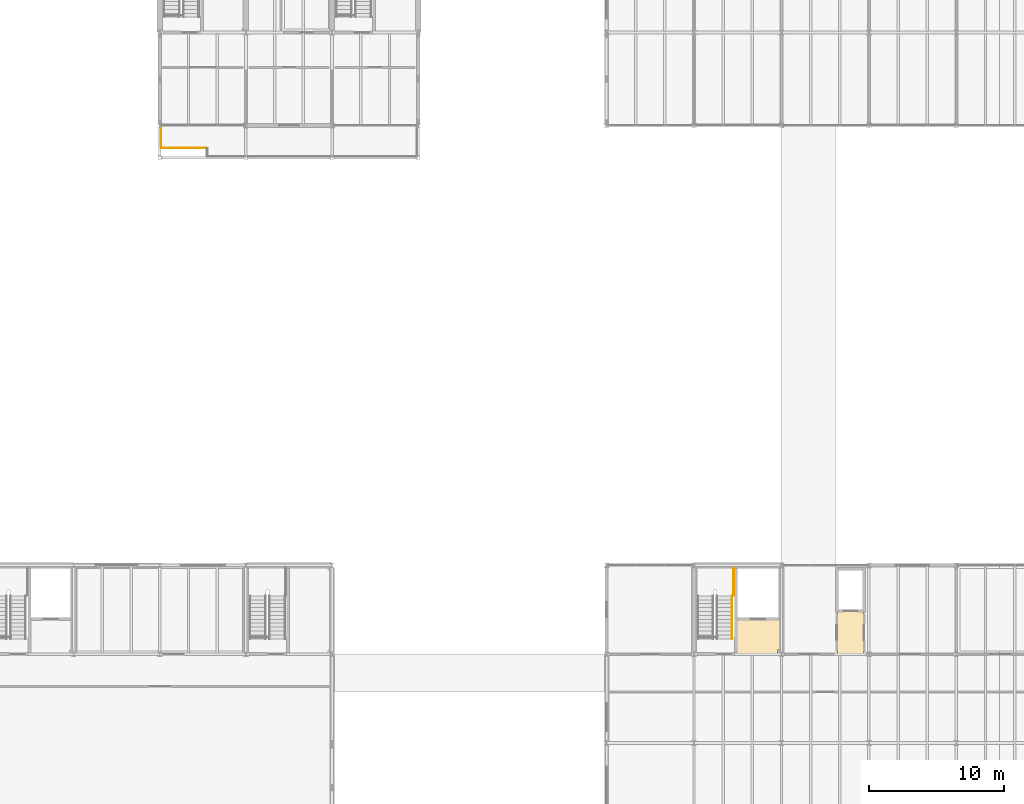
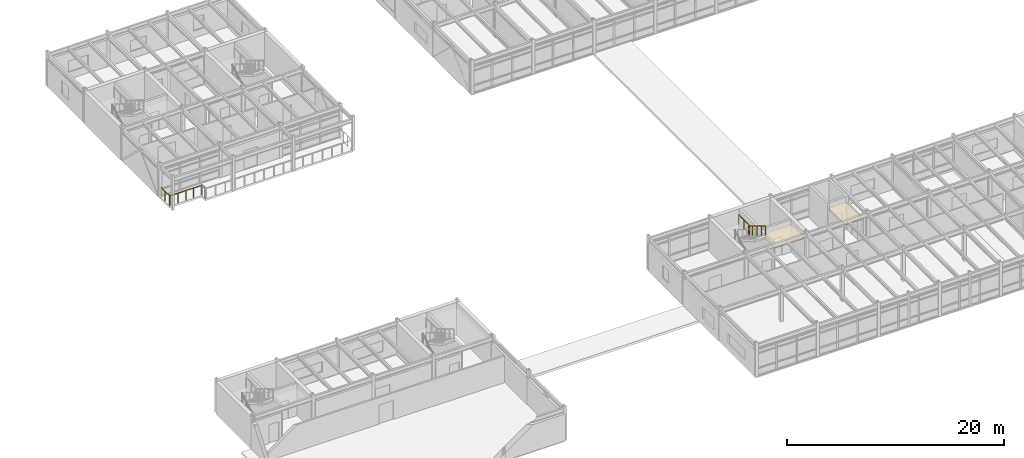
# One storey, part 46 of 49: 4 railings, 2 coverings.
"""IFC4 building model written with IfcOpenShell, lengths in metres."""

import ifcopenshell
import ifcopenshell.guid

model = None  # the IFC model being written
_history = None  # IfcOwnerHistory: only IFC2X3 demands one
_inside = {}  # id of a spatial element -> (the spatial element, [elements in it])
_under = {}  # id of a project, library or spatial element -> (it, [spatial elements below it])
_declared = {}  # id of a project -> (the project, [libraries it declares])
_typed = {}  # id of a type object -> (the type object, [elements of that type])
_made_of = {}  # id of a material, layer set ... -> (it, [elements and type objects made of it])


def new_model(schema):
    """Start an empty IFC model of exactly this schema.

    Asked for "IFC4X3", IfcOpenShell would pick the latest addendum, in which some entities
    have other attributes; the version numbers below select the first issue.
    IFC2X3 requires an IfcOwnerHistory on every rooted entity: one is made here for all.
    """
    global model, _history
    if schema == "IFC4X3":
        model = ifcopenshell.file(schema_version=(4, 3, 0, 0))
    else:
        model = ifcopenshell.file(schema=schema)
    _inside.clear()
    _under.clear()
    _declared.clear()
    _typed.clear()
    _made_of.clear()
    _history = None
    if model.schema == "IFC2X3":
        org = make("IfcOrganization", Name="unknown")
        user = make(
            "IfcPersonAndOrganization",
            ThePerson=make("IfcPerson", FamilyName="unknown"),
            TheOrganization=org,
        )
        app = make(
            "IfcApplication",
            ApplicationDeveloper=org,
            Version="unknown",
            ApplicationFullName="unknown",
            ApplicationIdentifier="unknown",
        )
        _history = make(
            "IfcOwnerHistory",
            OwningUser=user,
            OwningApplication=app,
            ChangeAction="ADDED",
            CreationDate=0,
        )
    return model


def make(cls, **values):
    """One entity of the class cls with the attributes given. An attribute that is None is left unset."""
    return model.create_entity(
        cls, **{name: value for name, value in values.items() if value is not None}
    )


def rooted(cls, **values):
    """An entity with a GlobalId (a new one), such as an element, a storey or a relation."""
    return make(cls, GlobalId=ifcopenshell.guid.new(), OwnerHistory=_history, **values)


def si_unit(unit_type, name, prefix=None):
    """IfcSIUnit, for example si_unit("LENGTHUNIT", "METRE", prefix="MILLI")."""
    return make("IfcSIUnit", UnitType=unit_type, Prefix=prefix, Name=name)


def assignment(units):
    """IfcUnitAssignment: the units of a project."""
    return None if units is None else make("IfcUnitAssignment", Units=units)


def point(xyz):
    """IfcCartesianPoint."""
    return None if xyz is None else make("IfcCartesianPoint", Coordinates=xyz)


def direction(xyz):
    """IfcDirection."""
    return None if xyz is None else make("IfcDirection", DirectionRatios=xyz)


def frame(location, z_axis=None, x_axis=None):
    """IfcAxis2Placement3D, a coordinate frame: its origin and axes. An axis left out is left unset."""
    return make(
        "IfcAxis2Placement3D",
        Location=point(location),
        Axis=direction(z_axis),
        RefDirection=direction(x_axis),
    )


def frame_2d(location, x_axis=None):
    """IfcAxis2Placement2D, a coordinate frame in the plane: its origin and x axis."""
    return make(
        "IfcAxis2Placement2D", Location=point(location), RefDirection=direction(x_axis)
    )


def origin():
    """The frame at (0, 0, 0) with its axes left unset."""
    return frame((0.0, 0.0, 0.0))


def origin_2d():
    """The frame at (0, 0) in the plane with its x axis left unset."""
    return frame_2d((0.0, 0.0))


def place(relative_to, where):
    """IfcLocalPlacement: puts the frame where relative to a parent placement (None: the world)."""
    return make(
        "IfcLocalPlacement", PlacementRelTo=relative_to, RelativePlacement=where
    )


def context(
    kind, dimensions, precision=None, world=None, true_north=None, identifier=None
):
    """IfcGeometricRepresentationContext, for example the 3D "Model" context."""
    return make(
        "IfcGeometricRepresentationContext",
        ContextIdentifier=identifier,
        ContextType=kind,
        CoordinateSpaceDimension=dimensions,
        Precision=precision,
        WorldCoordinateSystem=world,
        TrueNorth=true_north,
    )


def subcontext(parent, identifier, kind, view, scale=None):
    """IfcGeometricRepresentationSubContext, for example "Body" below "Model"."""
    return make(
        "IfcGeometricRepresentationSubContext",
        ContextIdentifier=identifier,
        ContextType=kind,
        ParentContext=parent,
        TargetScale=scale,
        TargetView=view,
    )


def project(units=None, contexts=None):
    """IfcProject with its units and contexts."""
    return rooted(
        "IfcProject",
        Name="project",
        RepresentationContexts=contexts,
        UnitsInContext=assignment(units),
    )


def spatial(cls, under=None, at=None, **own):
    """A site, building, storey or space (cls), placed at a placement, below another one or the project."""
    s = rooted(cls, ObjectPlacement=at, **own)
    if under is not None:
        _under.setdefault(under.id(), (under, []))[1].append(s)
    return s


def polyline(points):
    """IfcPolyline through the points."""
    return make("IfcPolyline", Points=[point(p) for p in points])


def profile(cls, at=None, kind="AREA", **sizes):
    """A parametric profile (cls). Its sizes go by their IFC names, for example OverallWidth=200.0."""
    return make(cls, ProfileType=kind, Position=at, **sizes)


def circle(**sizes):
    """IfcCircleProfileDef."""
    return profile("IfcCircleProfileDef", **sizes)


def outline(outer, holes=None, kind="AREA"):
    """IfcArbitraryClosedProfileDef: a profile drawn as a closed curve; with holes, ...WithVoids."""
    if holes is None:
        return make("IfcArbitraryClosedProfileDef", ProfileType=kind, OuterCurve=outer)
    return make(
        "IfcArbitraryProfileDefWithVoids",
        ProfileType=kind,
        OuterCurve=outer,
        InnerCurves=holes,
    )


def extrude(swept, where, along, depth):
    """IfcExtrudedAreaSolid: the profile swept, set in the frame where, extruded along a direction by depth."""
    return make(
        "IfcExtrudedAreaSolid",
        SweptArea=swept,
        Position=where,
        ExtrudedDirection=direction(along),
        Depth=depth,
    )


def shape(context_of_items, identifier, shape_type, items):
    """IfcShapeRepresentation: the items that make up one representation, for example the "Body"."""
    return make(
        "IfcShapeRepresentation",
        ContextOfItems=context_of_items,
        RepresentationIdentifier=identifier,
        RepresentationType=shape_type,
        Items=items,
    )


def material(Name=None, Category=None):
    """IfcMaterial."""
    return make("IfcMaterial", Name=Name, Category=Category)


def layer(
    of_material, thickness, ventilated=None, Name=None, Category=None, Priority=None
):
    """IfcMaterialLayer: one layer of a wall or slab, of a material (None: an air gap)."""
    return make(
        "IfcMaterialLayer",
        Material=of_material,
        LayerThickness=thickness,
        IsVentilated=ventilated,
        Name=Name,
        Category=Category,
        Priority=Priority,
    )


def layer_set(layers, Name=None):
    """IfcMaterialLayerSet."""
    return make("IfcMaterialLayerSet", MaterialLayers=layers, LayerSetName=Name)


def made_of(thing, what):
    """Note that an element or type object is made of a material, layer set ...; save() writes the relation."""
    if what is not None:
        _made_of.setdefault(what.id(), (what, []))[1].append(thing)
    return thing


def type_object(cls, material=None, **own):
    """A type object (cls), such as IfcWallType, which elements share."""
    return made_of(rooted(cls, **own), material)


def element(
    cls,
    number,
    at=None,
    inside=None,
    cuts=None,
    type_object=None,
    material=None,
    context=None,
    identifier="Body",
    shape_type=None,
    held_by="IfcProductDefinitionShape",
    body=None,
    shapes=None,
    **own,
):
    """One element of the class cls, such as IfcWall. Its Tag is "e" and its number.

    at: its placement. inside: the storey or other place that contains it. cuts: it is an
    opening in that element (IfcRelVoidsElement). A single representation is given by context,
    identifier, shape_type and body (its items); several are given by shapes. held_by: the class
    of the entity that holds the representations. save() writes the other relations.
    """
    e = rooted(cls, Tag="e%d" % number, ObjectPlacement=at, **own)
    if body is not None:
        shapes = [shape(context, identifier, shape_type, body)]
    if shapes is not None:
        e.Representation = make(held_by, Representations=shapes)
    if inside is not None:
        _inside.setdefault(inside.id(), (inside, []))[1].append(e)
    if cuts is not None:
        rooted(
            "IfcRelVoidsElement", RelatingBuildingElement=cuts, RelatedOpeningElement=e
        )
    if type_object is not None:
        _typed.setdefault(type_object.id(), (type_object, []))[1].append(e)
    return made_of(e, material)


def aggregate(whole, parts):
    """IfcRelAggregates: a whole, such as a stair, and the parts it consists of."""
    return rooted("IfcRelAggregates", RelatingObject=whole, RelatedObjects=parts)


def save(model, path):
    """Write the relations noted so far, then the file.

    IfcRelAggregates (storeys below a building ...), IfcRelContainedInSpatialStructure (elements
    in a storey), IfcRelDefinesByType, IfcRelAssociatesMaterial and IfcRelDeclares: one each for
    every whole, place, type object, material and project.
    """
    for whole, parts in _under.values():
        aggregate(whole, parts)
    for where, things in _inside.values():
        rooted(
            "IfcRelContainedInSpatialStructure",
            RelatedElements=things,
            RelatingStructure=where,
        )
    for kind, things in _typed.values():
        rooted("IfcRelDefinesByType", RelatedObjects=things, RelatingType=kind)
    for what, things in _made_of.values():
        rooted("IfcRelAssociatesMaterial", RelatedObjects=things, RelatingMaterial=what)
    for by, libraries in _declared.values():
        rooted("IfcRelDeclares", RelatingContext=by, RelatedDefinitions=libraries)
    model.write(path)


model = new_model("IFC4")

# Units and contexts
model_context = context("Model", 3, precision=1e-05, world=origin(), true_north=direction((0.0, 1.0)))
body_context = subcontext(model_context, "Body", "Model", "MODEL_VIEW")
ifc_project = project(units=[si_unit("LENGTHUNIT", "METRE"), si_unit("AREAUNIT", "SQUARE_METRE"), si_unit("VOLUMEUNIT", "CUBIC_METRE"), si_unit("PLANEANGLEUNIT", "RADIAN"), si_unit("MASSUNIT", "GRAM", prefix="KILO")], contexts=[model_context])

# Site, building, storey
site_placement = place(None, origin())
site = spatial("IfcSite", under=ifc_project, at=site_placement, CompositionType="ELEMENT")
building_placement = place(site_placement, origin())
building = spatial("IfcBuilding", under=site, at=building_placement, Name="Trelmorton Wharf Fire Station", CompositionType="ELEMENT")
storey_placement = place(building_placement, frame((0.0, 0.0, 9.60009765625)))
storey = spatial("IfcBuildingStorey", under=building, at=storey_placement, Name="L02", CompositionType="ELEMENT", Elevation=9.60009765625)

# Coverings
ifc_material_1 = material(Name="Mineral fibre acoustic ceiling")
ifc_layer = layer(ifc_material_1, 0.02001953125)
ifc_layer_set = layer_set([ifc_layer], Name="Mineral fibre acoustic ceiling")
covering_type = type_object("IfcCoveringType", Name="CV_CEIL_ACOU", PredefinedType="CEILING", material=ifc_layer_set)
covering_1_placement = place(storey_placement, frame((0.0, 0.0, 2.97998046875)))
element("IfcCovering", 1, at=covering_1_placement, inside=storey, type_object=covering_type, Name="CV-CLG-015", PredefinedType="CEILING", context=body_context, shape_type="SweptSolid", body=[
    extrude(outline(polyline([(113.659912109375, 21.0400390625), (113.659912109375, 23.56005859375), (116.9599609375, 23.56005859375), (116.9599609375, 21.300048828125), (116.699951171875, 21.300048828125), (116.699951171875, 21.0400390625), (113.659912109375, 21.0400390625)])), origin(), (0.0, 0.0, 1.0), 0.02001953125),
])
covering_2_placement = place(storey_placement, frame((0.0, 0.0, 2.97998046875)))
element("IfcCovering", 2, at=covering_2_placement, inside=storey, type_object=covering_type, Name="CV-CLG-016", PredefinedType="CEILING", context=body_context, shape_type="SweptSolid", body=[
    extrude(outline(polyline([(123.090087890625, 21.0400390625), (123.090087890625, 24.159912109375), (121.14990234375, 24.159912109375), (121.14990234375, 21.0400390625), (123.090087890625, 21.0400390625)])), origin(), (0.0, 0.0, 1.0), 0.02001953125),
])

# Railings
ifc_material_2 = material(Name="Signal-red architectural steel Grade 350", Category="steel")
railing_type_1 = type_object("IfcRailingType", Name="RL_BAL_RED", PredefinedType="BALUSTRADE", material=ifc_material_2)
railing_1_placement = place(storey_placement, frame((70.8798828125, 60.260009765625, 0.0)))
element("IfcRailing", 3, at=railing_1_placement, inside=storey, type_object=railing_type_1, Name="RL-DECK-L02-057", PredefinedType="BALUSTRADE", context=body_context, shape_type="SweptSolid", body=[
    extrude(circle(Radius=0.02392578125, at=origin_2d()), frame((0.0, 0.0, 1.09619140625), z_axis=(0.0, -1.0, 0.0), x_axis=(1.0, 0.0, 0.0)), (0.0, 0.0, 1.0), 1.60009765625),
    extrude(circle(Radius=0.02099609375, at=origin_2d()), origin(), (0.0, 0.0, 1.0), 1.072021484375),
    extrude(circle(Radius=0.02099609375, at=origin_2d()), frame((0.0, -0.800048828125, 0.0)), (0.0, 0.0, 1.0), 1.072021484375),
    extrude(circle(Radius=0.02099609375, at=origin_2d()), frame((0.0, -1.60009765625, 0.0)), (0.0, 0.0, 1.0), 1.072021484375),
])
railing_2_placement = place(storey_placement, frame((70.919921875, 58.6201171875, 0.0)))
element("IfcRailing", 4, at=railing_2_placement, inside=storey, type_object=railing_type_1, Name="RL-DECK-L02-058", PredefinedType="BALUSTRADE", context=body_context, shape_type="SweptSolid", body=[
    extrude(circle(Radius=0.02392578125, at=origin_2d()), frame((0.0, 0.0, 1.09619140625), z_axis=(1.0, 0.0, 0.0), x_axis=(0.0, 1.0, 0.0)), (0.0, 0.0, 1.0), 3.360107421875),
    extrude(circle(Radius=0.02099609375, at=origin_2d()), origin(), (0.0, 0.0, 1.0), 1.072021484375),
    extrude(circle(Radius=0.02099609375, at=origin_2d()), frame((0.840087890625, 0.0, 0.0)), (0.0, 0.0, 1.0), 1.072021484375),
    extrude(circle(Radius=0.02099609375, at=origin_2d()), frame((1.68017578125, 0.0, 0.0)), (0.0, 0.0, 1.0), 1.072021484375),
    extrude(circle(Radius=0.02099609375, at=origin_2d()), frame((2.52001953125, 0.0, 0.0)), (0.0, 0.0, 1.0), 1.072021484375),
    extrude(circle(Radius=0.02099609375, at=origin_2d()), frame((3.360107421875, 0.0, 0.0)), (0.0, 0.0, 1.0), 1.072021484375),
])
ifc_material_3 = material(Name="Stainless steel 316 marine grade", Category="steel")
railing_type_2 = type_object("IfcRailingType", Name="RL_WELL_1100", PredefinedType="BALUSTRADE", material=ifc_material_3)
railing_3_placement = place(storey_placement, frame((113.455078125, 27.35498046875, 1.949951171875)))
element("IfcRailing", 5, at=railing_3_placement, inside=storey, type_object=railing_type_2, Name="RL-GW-OUT1-STR-C3-L02-10", PredefinedType="BALUSTRADE", context=body_context, shape_type="SweptSolid", body=[
    extrude(circle(Radius=0.02392578125, at=origin_2d()), frame((0.0, 0.0, 1.09619140625), z_axis=(0.0, -1.0, 0.0), x_axis=(1.0, 0.0, 0.0)), (0.0, 0.0, 1.0), 1.98486328125),
    extrude(circle(Radius=0.02099609375, at=origin_2d()), origin(), (0.0, 0.0, 1.0), 1.072021484375),
    extrude(circle(Radius=0.02099609375, at=origin_2d()), frame((0.0, -0.992431640625, 0.0)), (0.0, 0.0, 1.0), 1.072021484375),
    extrude(circle(Radius=0.02099609375, at=origin_2d()), frame((0.0, -1.98486328125, 0.0)), (0.0, 0.0, 1.0), 1.072021484375),
])
railing_4_placement = place(storey_placement, frame((113.31005859375, 25.330078125, 1.949951171875)))
element("IfcRailing", 6, at=railing_4_placement, inside=storey, type_object=railing_type_2, Name="RL-GW-OUT2-STR-C3-L02-10", PredefinedType="BALUSTRADE", context=body_context, shape_type="SweptSolid", body=[
    extrude(circle(Radius=0.02392578125, at=origin_2d()), frame((0.0, 0.0, 1.09619140625), z_axis=(0.0, -0.853235021851, 0.521526602856), x_axis=(1.0, 0.0, 0.0)), (0.0, 0.0, 1.0), 3.739013671875),
    extrude(circle(Radius=0.02099609375, at=origin_2d()), origin(), (0.0, 0.0, 1.0), 1.072021484375),
    extrude(circle(Radius=0.02099609375, at=origin_2d()), frame((0.0, -0.797607421875, 0.487548828125)), (0.0, 0.0, 1.0), 1.072021484375),
    extrude(circle(Radius=0.02099609375, at=origin_2d()), frame((0.0, -1.59521484375, 0.97509765625)), (0.0, 0.0, 1.0), 1.072021484375),
    extrude(circle(Radius=0.02099609375, at=origin_2d()), frame((0.0, -2.392578125, 1.46240234375)), (0.0, 0.0, 1.0), 1.072021484375),
    extrude(circle(Radius=0.02099609375, at=origin_2d()), frame((0.0, -3.190185546875, 1.949951171875)), (0.0, 0.0, 1.0), 1.072021484375),
])

save(model, "model.ifc")
